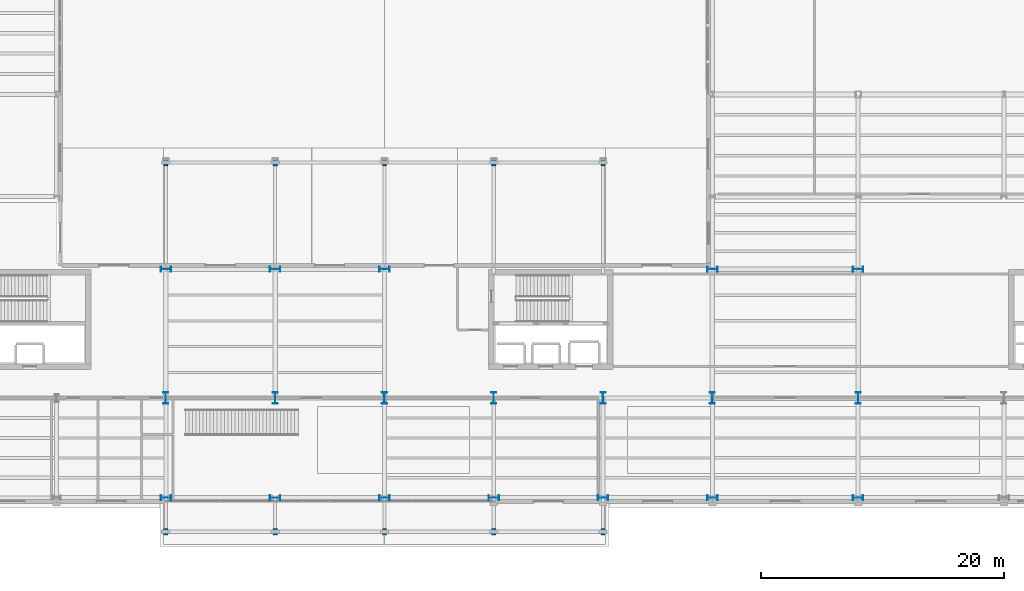
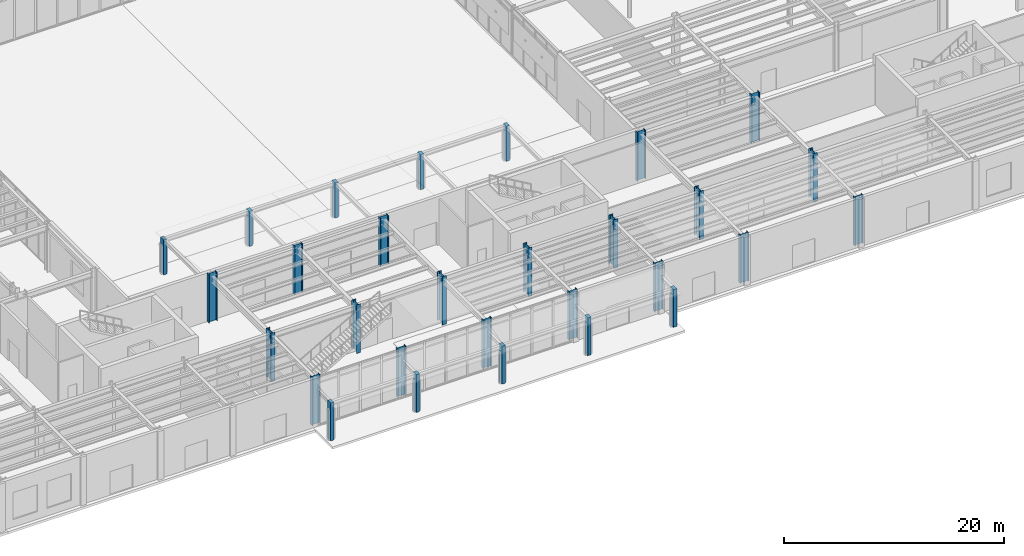
# One storey, part 5 of 94: 29 columns.
"""IFC4 building model written with IfcOpenShell, lengths in metres."""

from ifc_helpers import new_model, si_unit, direction, frame, origin, origin_2d, place, context, subcontext, project, spatial, rectangle, i_section, extrude, material, material_profile, profile_set, type_object, element, save


model = new_model("IFC4")

# Units and contexts
model_context = context("Model", 3, precision=1e-05, world=origin(), true_north=direction((0.0, 1.0)))
body_context = subcontext(model_context, "Body", "Model", "MODEL_VIEW")
ifc_project = project(units=[si_unit("LENGTHUNIT", "METRE"), si_unit("AREAUNIT", "SQUARE_METRE"), si_unit("VOLUMEUNIT", "CUBIC_METRE"), si_unit("PLANEANGLEUNIT", "RADIAN"), si_unit("MASSUNIT", "GRAM", prefix="KILO")], contexts=[model_context])

# Site, building, storey
site_placement = place(None, origin())
site = spatial("IfcSite", under=ifc_project, at=site_placement, CompositionType="ELEMENT")
building_placement = place(site_placement, origin())
building = spatial("IfcBuilding", under=site, at=building_placement, Name="Sollismere Congress Hotel", CompositionType="ELEMENT")
storey_placement = place(building_placement, origin())
storey = spatial("IfcBuildingStorey", under=building, at=storey_placement, Name="L00", CompositionType="ELEMENT", Elevation=0.0)

# Columns
ifc_material_1 = material(Name="Concrete C40/50", Category="concrete")
ifc_material_profile_1 = material_profile(ifc_material_1, rectangle(XDim=0.35009765625, YDim=0.550048828125, at=origin_2d()), Name="RC350X550")
ifc_profile_set_1 = profile_set([ifc_material_profile_1], Name="Concrete C40/50")
column_type_1 = type_object("IfcColumnType", Name="COL-PIL550", PredefinedType="PILASTER", material=ifc_profile_set_1)
for number, where, z_axis, x_axis, name in (
    (1, (67.0, 27.60009765625, 0.0), (0.0, 0.0, 1.0), (1.0, 0.0, 0.0), "Column CL-L00-1228"),
    (2, (76.0, 27.60009765625, 0.0), (0.0, 0.0, 1.0), (1.0, 0.0, 0.0), "Column CL-L00-1230"),
    (3, (85.0, 27.60009765625, 0.0), (0.0, 0.0, 1.0), (1.0, 0.0, 0.0), "Column CL-L00-1232"),
    (4, (94.0, 27.60009765625, 0.0), (0.0, 0.0, 1.0), (1.0, 0.0, 0.0), "Column CL-L00-1234"),
    (5, (103.0, 27.60009765625, 0.0), (0.0, 0.0, 1.0), (1.0, 0.0, 0.0), "Column CL-L00-1236"),
):
    element("IfcColumn", number, at=place(storey_placement, frame(where, z_axis=z_axis, x_axis=x_axis)), inside=storey, type_object=column_type_1, Name=name, PredefinedType="PILASTER", context=body_context, shape_type="SweptSolid", body=[
        extrude(rectangle(XDim=0.35009765625, YDim=0.550048828125, at=origin_2d()), origin(), (0.0, 0.0, 1.0), 3.8798828125),
    ])
for number, where, z_axis, x_axis, name in (
    (6, (67.0, -2.800048828125, 0.0), (0.0, 0.0, 1.0), (1.0, 0.0, 0.0), "Column CL-L00-1238"),
    (7, (76.0, -2.800048828125, 0.0), (0.0, 0.0, 1.0), (1.0, 0.0, 0.0), "Column CL-L00-1240"),
    (8, (85.0, -2.800048828125, 0.0), (0.0, 0.0, 1.0), (1.0, 0.0, 0.0), "Column CL-L00-1242"),
    (9, (94.0, -2.800048828125, 0.0), (0.0, 0.0, 1.0), (1.0, 0.0, 0.0), "Column CL-L00-1244"),
    (10, (103.0, -2.800048828125, 0.0), (0.0, 0.0, 1.0), (1.0, 0.0, 0.0), "Column CL-L00-1246"),
):
    element("IfcColumn", number, at=place(storey_placement, frame(where, z_axis=z_axis, x_axis=x_axis)), inside=storey, type_object=column_type_1, Name=name, PredefinedType="PILASTER", context=body_context, shape_type="SweptSolid", body=[
        extrude(rectangle(XDim=0.35009765625, YDim=0.550048828125, at=origin_2d()), origin(), (0.0, 0.0, 1.0), 4.199951171875),
    ])
ifc_material_2 = material(Name="Steel ASTM A992 Grade 50", Category="steel")
ifc_material_profile_2 = material_profile(ifc_material_2, i_section(OverallWidth=0.404052734375, OverallDepth=0.868896484375, WebThickness=0.02099609375, FlangeThickness=0.03564453125, at=origin_2d()), Name="W33X241")
ifc_profile_set_2 = profile_set([ifc_material_profile_2], Name="Steel ASTM A992 Grade 50")
column_type_2 = type_object("IfcColumnType", Name="COL-W33", PredefinedType="COLUMN", material=ifc_profile_set_2)
for number, where, z_axis, x_axis, name in (
    (11, (67.0, 0.0, 0.0), (0.0, 0.0, 1.0), (0.0, 1.0, 0.0), "Column CL-L00-277"),
    (12, (67.0, 18.800048828125, 0.0), (0.0, 0.0, 1.0), (0.0, 1.0, 0.0), "Column CL-L00-299"),
    (13, (76.0, 0.0, 0.0), (0.0, 0.0, 1.0), (0.0, 1.0, 0.0), "Column CL-L00-341"),
    (14, (76.0, 18.800048828125, 0.0), (0.0, 0.0, 1.0), (0.0, 1.0, 0.0), "Column CL-L00-363"),
    (15, (85.0, 0.0, 0.0), (0.0, 0.0, 1.0), (0.0, 1.0, 0.0), "Column CL-L00-394"),
    (16, (85.0, 18.800048828125, 0.0), (0.0, 0.0, 1.0), (0.0, 1.0, 0.0), "Column CL-L00-420"),
    (17, (94.0, 0.0, 0.0), (0.0, 0.0, 1.0), (0.0, 1.0, 0.0), "Column CL-L00-453"),
    (18, (103.0, 0.0, 0.0), (0.0, 0.0, 1.0), (0.0, 1.0, 0.0), "Column CL-L00-511"),
    (19, (112.0, 0.0, 0.0), (0.0, 0.0, 1.0), (0.0, 1.0, 0.0), "Column CL-L00-569"),
    (20, (112.0, 18.800048828125, 0.0), (0.0, 0.0, 1.0), (0.0, 1.0, 0.0), "Column CL-L00-595"),
    (21, (124.0, 0.0, 0.0), (0.0, 0.0, 1.0), (0.0, 1.0, 0.0), "Column CL-L00-647"),
    (22, (124.0, 18.800048828125, 0.0), (0.0, 0.0, 1.0), (0.0, 1.0, 0.0), "Column CL-L00-673"),
):
    element("IfcColumn", number, at=place(storey_placement, frame(where, z_axis=z_axis, x_axis=x_axis)), inside=storey, type_object=column_type_2, Name=name, PredefinedType="COLUMN", context=body_context, shape_type="SweptSolid", body=[
        extrude(i_section(OverallWidth=0.404052734375, OverallDepth=0.868896484375, WebThickness=0.02099609375, FlangeThickness=0.03564453125, at=origin_2d()), origin(), (0.0, 0.0, 1.0), 5.39990234375),
    ])
ifc_material_profile_3 = material_profile(ifc_material_2, i_section(OverallWidth=0.424072265625, OverallDepth=0.93994140625, WebThickness=0.02392578125, FlangeThickness=0.042724609375, at=origin_2d()), Name="W36X302")
ifc_profile_set_3 = profile_set([ifc_material_profile_3], Name="Steel ASTM A992 Grade 50")
column_type_3 = type_object("IfcColumnType", Name="COL-W36", PredefinedType="COLUMN", material=ifc_profile_set_3)
for number, where, z_axis, x_axis, name in (
    (23, (67.0, 8.199951171875, 0.0), (0.0, 0.0, 1.0), (1.0, 0.0, 0.0), "Column CL-L00-288"),
    (24, (76.0, 8.199951171875, 0.0), (0.0, 0.0, 1.0), (1.0, 0.0, 0.0), "Column CL-L00-352"),
    (25, (85.0, 8.199951171875, 0.0), (0.0, 0.0, 1.0), (1.0, 0.0, 0.0), "Column CL-L00-407"),
    (26, (94.0, 8.199951171875, 0.0), (0.0, 0.0, 1.0), (1.0, 0.0, 0.0), "Column CL-L00-466"),
    (27, (103.0, 8.199951171875, 0.0), (0.0, 0.0, 1.0), (1.0, 0.0, 0.0), "Column CL-L00-524"),
    (28, (112.0, 8.199951171875, 0.0), (0.0, 0.0, 1.0), (1.0, 0.0, 0.0), "Column CL-L00-582"),
    (29, (124.0, 8.199951171875, 0.0), (0.0, 0.0, 1.0), (1.0, 0.0, 0.0), "Column CL-L00-660"),
):
    element("IfcColumn", number, at=place(storey_placement, frame(where, z_axis=z_axis, x_axis=x_axis)), inside=storey, type_object=column_type_3, Name=name, PredefinedType="COLUMN", context=body_context, shape_type="SweptSolid", body=[
        extrude(i_section(OverallWidth=0.424072265625, OverallDepth=0.93994140625, WebThickness=0.02392578125, FlangeThickness=0.042724609375, at=origin_2d()), origin(), (0.0, 0.0, 1.0), 5.39990234375),
    ])

save(model, "model.ifc")
